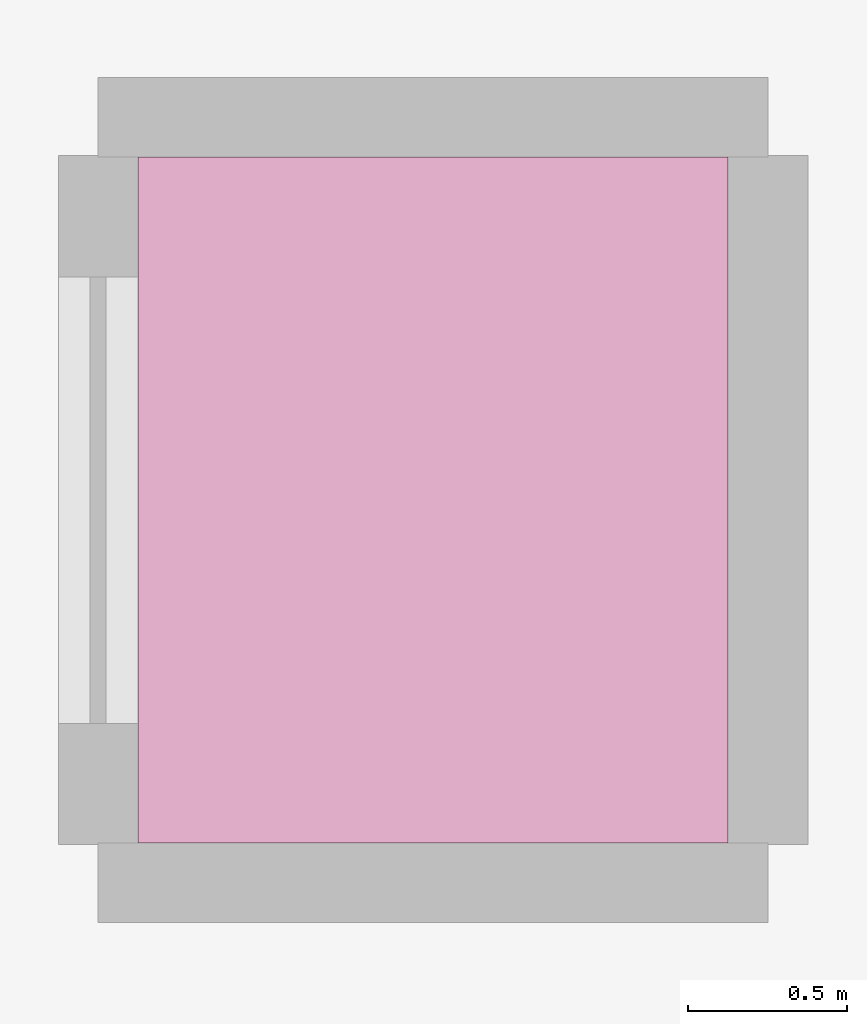
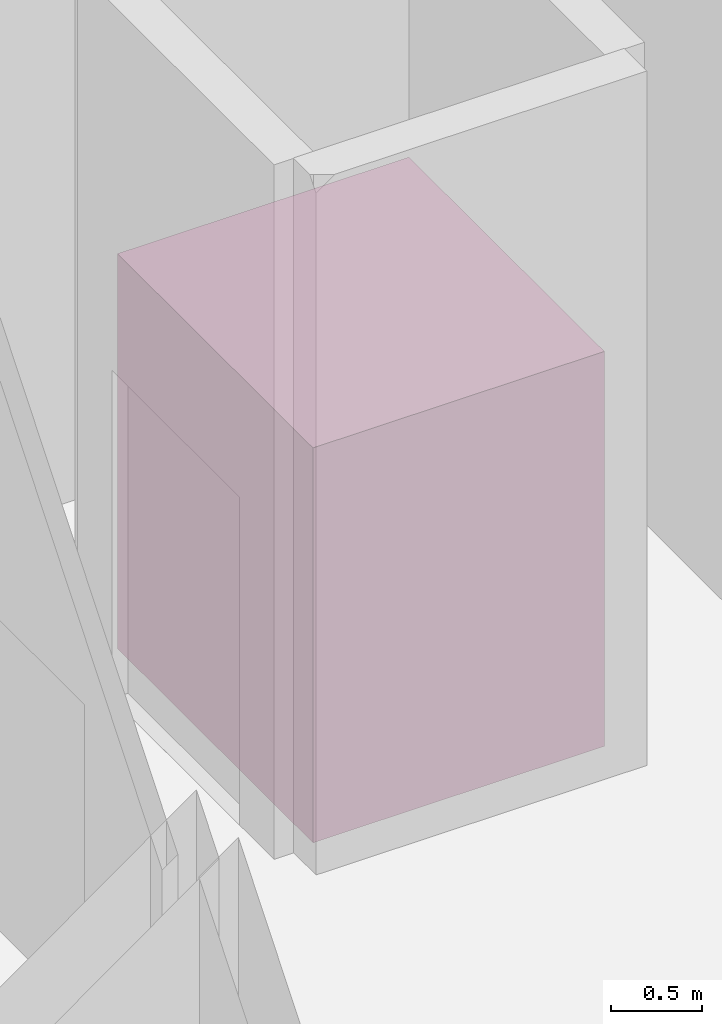
# One storey, part 24 of 24: 1 transport element.
"""IFC4 building model written with IfcOpenShell, lengths in metres."""

import ifcopenshell
import ifcopenshell.guid

model = None  # the IFC model being written
_history = None  # IfcOwnerHistory: only IFC2X3 demands one
_inside = {}  # id of a spatial element -> (the spatial element, [elements in it])
_under = {}  # id of a project, library or spatial element -> (it, [spatial elements below it])
_declared = {}  # id of a project -> (the project, [libraries it declares])
_typed = {}  # id of a type object -> (the type object, [elements of that type])
_made_of = {}  # id of a material, layer set ... -> (it, [elements and type objects made of it])


def new_model(schema):
    """Start an empty IFC model of exactly this schema.

    Asked for "IFC4X3", IfcOpenShell would pick the latest addendum, in which some entities
    have other attributes; the version numbers below select the first issue.
    IFC2X3 requires an IfcOwnerHistory on every rooted entity: one is made here for all.
    """
    global model, _history
    if schema == "IFC4X3":
        model = ifcopenshell.file(schema_version=(4, 3, 0, 0))
    else:
        model = ifcopenshell.file(schema=schema)
    _inside.clear()
    _under.clear()
    _declared.clear()
    _typed.clear()
    _made_of.clear()
    _history = None
    if model.schema == "IFC2X3":
        org = make("IfcOrganization", Name="unknown")
        user = make(
            "IfcPersonAndOrganization",
            ThePerson=make("IfcPerson", FamilyName="unknown"),
            TheOrganization=org,
        )
        app = make(
            "IfcApplication",
            ApplicationDeveloper=org,
            Version="unknown",
            ApplicationFullName="unknown",
            ApplicationIdentifier="unknown",
        )
        _history = make(
            "IfcOwnerHistory",
            OwningUser=user,
            OwningApplication=app,
            ChangeAction="ADDED",
            CreationDate=0,
        )
    return model


def make(cls, **values):
    """One entity of the class cls with the attributes given. An attribute that is None is left unset."""
    return model.create_entity(
        cls, **{name: value for name, value in values.items() if value is not None}
    )


def rooted(cls, **values):
    """An entity with a GlobalId (a new one), such as an element, a storey or a relation."""
    return make(cls, GlobalId=ifcopenshell.guid.new(), OwnerHistory=_history, **values)


def si_unit(unit_type, name, prefix=None):
    """IfcSIUnit, for example si_unit("LENGTHUNIT", "METRE", prefix="MILLI")."""
    return make("IfcSIUnit", UnitType=unit_type, Prefix=prefix, Name=name)


def assignment(units):
    """IfcUnitAssignment: the units of a project."""
    return None if units is None else make("IfcUnitAssignment", Units=units)


def point(xyz):
    """IfcCartesianPoint."""
    return None if xyz is None else make("IfcCartesianPoint", Coordinates=xyz)


def direction(xyz):
    """IfcDirection."""
    return None if xyz is None else make("IfcDirection", DirectionRatios=xyz)


def frame(location, z_axis=None, x_axis=None):
    """IfcAxis2Placement3D, a coordinate frame: its origin and axes. An axis left out is left unset."""
    return make(
        "IfcAxis2Placement3D",
        Location=point(location),
        Axis=direction(z_axis),
        RefDirection=direction(x_axis),
    )


def frame_2d(location, x_axis=None):
    """IfcAxis2Placement2D, a coordinate frame in the plane: its origin and x axis."""
    return make(
        "IfcAxis2Placement2D", Location=point(location), RefDirection=direction(x_axis)
    )


def origin():
    """The frame at (0, 0, 0) with its axes left unset."""
    return frame((0.0, 0.0, 0.0))


def origin_2d():
    """The frame at (0, 0) in the plane with its x axis left unset."""
    return frame_2d((0.0, 0.0))


def place(relative_to, where):
    """IfcLocalPlacement: puts the frame where relative to a parent placement (None: the world)."""
    return make(
        "IfcLocalPlacement", PlacementRelTo=relative_to, RelativePlacement=where
    )


def context(
    kind, dimensions, precision=None, world=None, true_north=None, identifier=None
):
    """IfcGeometricRepresentationContext, for example the 3D "Model" context."""
    return make(
        "IfcGeometricRepresentationContext",
        ContextIdentifier=identifier,
        ContextType=kind,
        CoordinateSpaceDimension=dimensions,
        Precision=precision,
        WorldCoordinateSystem=world,
        TrueNorth=true_north,
    )


def subcontext(parent, identifier, kind, view, scale=None):
    """IfcGeometricRepresentationSubContext, for example "Body" below "Model"."""
    return make(
        "IfcGeometricRepresentationSubContext",
        ContextIdentifier=identifier,
        ContextType=kind,
        ParentContext=parent,
        TargetScale=scale,
        TargetView=view,
    )


def project(units=None, contexts=None):
    """IfcProject with its units and contexts."""
    return rooted(
        "IfcProject",
        Name="project",
        RepresentationContexts=contexts,
        UnitsInContext=assignment(units),
    )


def spatial(cls, under=None, at=None, **own):
    """A site, building, storey or space (cls), placed at a placement, below another one or the project."""
    s = rooted(cls, ObjectPlacement=at, **own)
    if under is not None:
        _under.setdefault(under.id(), (under, []))[1].append(s)
    return s


def profile(cls, at=None, kind="AREA", **sizes):
    """A parametric profile (cls). Its sizes go by their IFC names, for example OverallWidth=200.0."""
    return make(cls, ProfileType=kind, Position=at, **sizes)


def rectangle(**sizes):
    """IfcRectangleProfileDef."""
    return profile("IfcRectangleProfileDef", **sizes)


def extrude(swept, where, along, depth):
    """IfcExtrudedAreaSolid: the profile swept, set in the frame where, extruded along a direction by depth."""
    return make(
        "IfcExtrudedAreaSolid",
        SweptArea=swept,
        Position=where,
        ExtrudedDirection=direction(along),
        Depth=depth,
    )


def shape(context_of_items, identifier, shape_type, items):
    """IfcShapeRepresentation: the items that make up one representation, for example the "Body"."""
    return make(
        "IfcShapeRepresentation",
        ContextOfItems=context_of_items,
        RepresentationIdentifier=identifier,
        RepresentationType=shape_type,
        Items=items,
    )


def material(Name=None, Category=None):
    """IfcMaterial."""
    return make("IfcMaterial", Name=Name, Category=Category)


def made_of(thing, what):
    """Note that an element or type object is made of a material, layer set ...; save() writes the relation."""
    if what is not None:
        _made_of.setdefault(what.id(), (what, []))[1].append(thing)
    return thing


def type_object(cls, material=None, **own):
    """A type object (cls), such as IfcWallType, which elements share."""
    return made_of(rooted(cls, **own), material)


def element(
    cls,
    number,
    at=None,
    inside=None,
    cuts=None,
    type_object=None,
    material=None,
    context=None,
    identifier="Body",
    shape_type=None,
    held_by="IfcProductDefinitionShape",
    body=None,
    shapes=None,
    **own,
):
    """One element of the class cls, such as IfcWall. Its Tag is "e" and its number.

    at: its placement. inside: the storey or other place that contains it. cuts: it is an
    opening in that element (IfcRelVoidsElement). A single representation is given by context,
    identifier, shape_type and body (its items); several are given by shapes. held_by: the class
    of the entity that holds the representations. save() writes the other relations.
    """
    e = rooted(cls, Tag="e%d" % number, ObjectPlacement=at, **own)
    if body is not None:
        shapes = [shape(context, identifier, shape_type, body)]
    if shapes is not None:
        e.Representation = make(held_by, Representations=shapes)
    if inside is not None:
        _inside.setdefault(inside.id(), (inside, []))[1].append(e)
    if cuts is not None:
        rooted(
            "IfcRelVoidsElement", RelatingBuildingElement=cuts, RelatedOpeningElement=e
        )
    if type_object is not None:
        _typed.setdefault(type_object.id(), (type_object, []))[1].append(e)
    return made_of(e, material)


def aggregate(whole, parts):
    """IfcRelAggregates: a whole, such as a stair, and the parts it consists of."""
    return rooted("IfcRelAggregates", RelatingObject=whole, RelatedObjects=parts)


def save(model, path):
    """Write the relations noted so far, then the file.

    IfcRelAggregates (storeys below a building ...), IfcRelContainedInSpatialStructure (elements
    in a storey), IfcRelDefinesByType, IfcRelAssociatesMaterial and IfcRelDeclares: one each for
    every whole, place, type object, material and project.
    """
    for whole, parts in _under.values():
        aggregate(whole, parts)
    for where, things in _inside.values():
        rooted(
            "IfcRelContainedInSpatialStructure",
            RelatedElements=things,
            RelatingStructure=where,
        )
    for kind, things in _typed.values():
        rooted("IfcRelDefinesByType", RelatedObjects=things, RelatingType=kind)
    for what, things in _made_of.values():
        rooted("IfcRelAssociatesMaterial", RelatedObjects=things, RelatingMaterial=what)
    for by, libraries in _declared.values():
        rooted("IfcRelDeclares", RelatingContext=by, RelatedDefinitions=libraries)
    model.write(path)


model = new_model("IFC4")

# Units and contexts
model_context = context("Model", 3, precision=1e-05, world=origin(), true_north=direction((0.0, 1.0)))
body_context = subcontext(model_context, "Body", "Model", "MODEL_VIEW")
ifc_project = project(units=[si_unit("LENGTHUNIT", "METRE"), si_unit("AREAUNIT", "SQUARE_METRE"), si_unit("VOLUMEUNIT", "CUBIC_METRE"), si_unit("PLANEANGLEUNIT", "RADIAN"), si_unit("MASSUNIT", "GRAM", prefix="KILO")], contexts=[model_context])

# Site, building, storey
site_placement = place(None, origin())
site = spatial("IfcSite", under=ifc_project, at=site_placement, CompositionType="ELEMENT")
building_placement = place(site_placement, origin())
building = spatial("IfcBuilding", under=site, at=building_placement, Name="Zulverin Broadcast Headquarters", CompositionType="ELEMENT")
storey_placement = place(building_placement, frame((0.0, 0.0, 5.0)))
storey = spatial("IfcBuildingStorey", under=building, at=storey_placement, Name="L01", CompositionType="ELEMENT", Elevation=5.0)

# Transport element
ifc_material = material(Name="Heavy-duty checker-plate stainless goods lift car", Category="steel")
transport_element_type = type_object("IfcTransportElementType", Name="LFT-GOODS-2500", PredefinedType="ELEVATOR", material=ifc_material)
transport_element_placement = place(storey_placement, frame((39.699951171875, 26.35009765625, 0.02001953125), z_axis=(0.0, 0.0, 1.0), x_axis=(1.0, 0.0, 0.0)))
element("IfcTransportElement", 1, at=transport_element_placement, inside=storey, type_object=transport_element_type, Name="Elevator Car SVL-1 (2500 kg, B2-C4)", PredefinedType="ELEVATOR", context=body_context, shape_type="SweptSolid", body=[
    extrude(rectangle(XDim=1.85009765625, YDim=2.14990234375, at=origin_2d()), origin(), (0.0, 0.0, 1.0), 2.64990234375),
])

save(model, "model.ifc")
